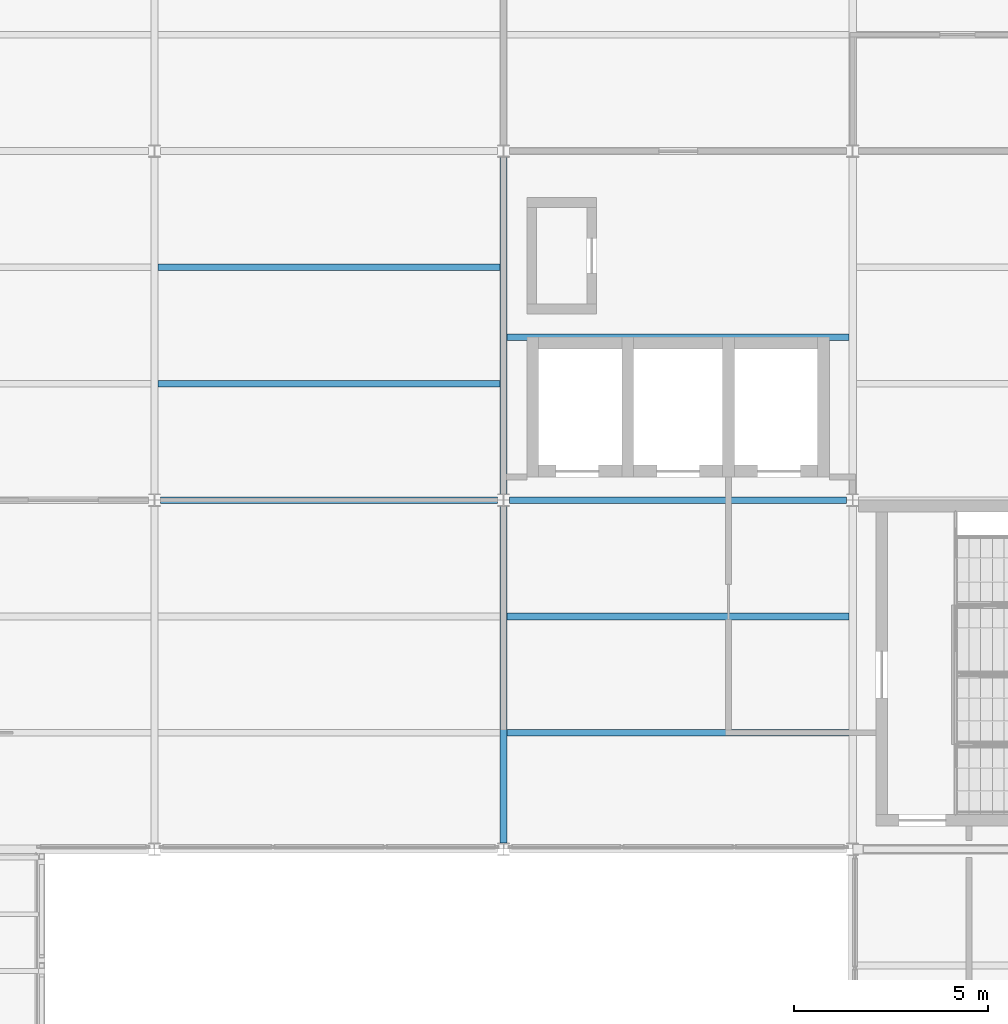
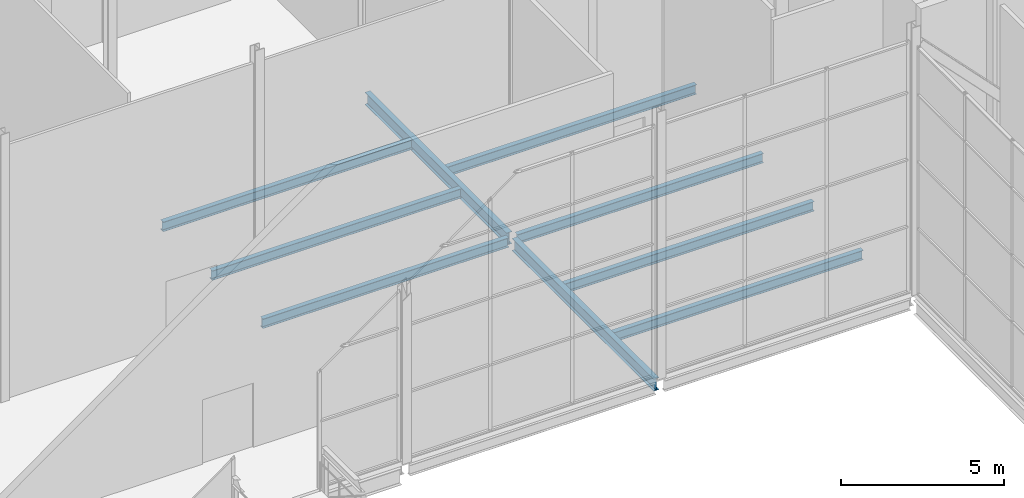
# One storey, part 65 of 111: 9 beams.
"""IFC4 building model written with IfcOpenShell, lengths in metres."""

from ifc_helpers import new_model, si_unit, direction, frame, origin, origin_2d, place, context, subcontext, project, spatial, i_section, extrude, material, material_profile, profile_set, type_object, element, save


model = new_model("IFC4")

# Units and contexts
model_context = context("Model", 3, precision=1e-05, world=origin(), true_north=direction((0.0, 1.0)))
body_context = subcontext(model_context, "Body", "Model", "MODEL_VIEW")
ifc_project = project(units=[si_unit("LENGTHUNIT", "METRE"), si_unit("AREAUNIT", "SQUARE_METRE"), si_unit("VOLUMEUNIT", "CUBIC_METRE"), si_unit("PLANEANGLEUNIT", "RADIAN"), si_unit("MASSUNIT", "GRAM", prefix="KILO")], contexts=[model_context])

# Site, building, storey
site_placement = place(None, origin())
site = spatial("IfcSite", under=ifc_project, at=site_placement, CompositionType="ELEMENT")
building_placement = place(site_placement, origin())
building = spatial("IfcBuilding", under=site, at=building_placement, Name="Shorebreak Coast Museum", CompositionType="ELEMENT")
storey_placement = place(building_placement, frame((0.0, 0.0, 16.0)))
storey = spatial("IfcBuildingStorey", under=building, at=storey_placement, Name="L03", CompositionType="ELEMENT", Elevation=16.0)

# Beams
ifc_material_1 = material(Name="Steel Grade 300", Category="steel")
ifc_material_profile_1 = material_profile(ifc_material_1, i_section(OverallWidth=0.1708984375, OverallDepth=0.355712890625, WebThickness=0.00732421875, FlangeThickness=0.011474609375, FilletRadius=0.011474609375, at=origin_2d()), Name="360UB50.7")
ifc_profile_set_1 = profile_set([ifc_material_profile_1], Name="Steel Grade 300")
beam_type_1 = type_object("IfcBeamType", Name="Floor girder east-west 360UB50.7", PredefinedType="BEAM", material=ifc_profile_set_1)
for number, where, z_axis, x_axis, name in (
    (1, (90.155517578125, 90.0, -0.352783203125), (1.0, 0.0, 0.0), (0.0, 1.0, 0.0), "Floor girder east-west L03 11L"),
    (2, (99.155517578125, 90.0, -0.352783203125), (1.0, 0.0, 0.0), (0.0, 1.0, 0.0), "Floor girder east-west L03 12L"),
):
    element("IfcBeam", number, at=place(storey_placement, frame(where, z_axis=z_axis, x_axis=x_axis)), inside=storey, type_object=beam_type_1, Name=name, PredefinedType="BEAM", context=body_context, shape_type="SweptSolid", body=[
        extrude(i_section(OverallWidth=0.1708984375, OverallDepth=0.355712890625, WebThickness=0.00732421875, FlangeThickness=0.011474609375, FilletRadius=0.011474609375, at=origin_2d()), origin(), (0.0, 0.0, 1.0), 8.68896484375),
    ])
ifc_material_2 = material(Name="Steel Grade 300", Category="steel")
ifc_material_profile_2 = material_profile(ifc_material_2, i_section(OverallWidth=0.18994140625, OverallDepth=0.453857421875, WebThickness=0.008544921875, FlangeThickness=0.0126953125, FilletRadius=0.011474609375, at=origin_2d()), Name="460UB67.1")
ifc_profile_set_2 = profile_set([ifc_material_profile_2], Name="Steel Grade 300")
beam_type_2 = type_object("IfcBeamType", Name="Floor girder north-south 460UB67.1", PredefinedType="BEAM", material=ifc_profile_set_2)
beam_1_placement = place(storey_placement, frame((99.0, 81.16357421875, -0.40185546875), z_axis=(0.0, 1.0, 0.0), x_axis=(-1.0, 0.0, 0.0)))
element("IfcBeam", 3, at=beam_1_placement, inside=storey, type_object=beam_type_2, Name="Floor girder north-south L03 12K", PredefinedType="BEAM", context=body_context, shape_type="SweptSolid", body=[
    extrude(i_section(OverallWidth=0.18994140625, OverallDepth=0.453857421875, WebThickness=0.008544921875, FlangeThickness=0.0126953125, FilletRadius=0.011474609375, at=origin_2d()), origin(), (0.0, 0.0, 1.0), 8.6728515625),
])
beam_2_placement = place(storey_placement, frame((99.0, 90.16357421875, -0.40185546875), z_axis=(0.0, 1.0, 0.0), x_axis=(-1.0, 0.0, 0.0)))
element("IfcBeam", 4, at=beam_2_placement, inside=storey, type_object=beam_type_2, Name="Floor girder north-south L03 12L", PredefinedType="BEAM", context=body_context, shape_type="SweptSolid", body=[
    extrude(i_section(OverallWidth=0.18994140625, OverallDepth=0.453857421875, WebThickness=0.008544921875, FlangeThickness=0.0126953125, FilletRadius=0.011474609375, at=origin_2d()), origin(), (0.0, 0.0, 1.0), 8.67919921875),
])
ifc_material_3 = material(Name="Steel Grade 300", Category="steel")
ifc_material_profile_3 = material_profile(ifc_material_3, i_section(OverallWidth=0.1708984375, OverallDepth=0.355712890625, WebThickness=0.00732421875, FlangeThickness=0.011474609375, FilletRadius=0.011474609375, at=origin_2d()), Name="360UB50.7")
ifc_profile_set_3 = profile_set([ifc_material_profile_3], Name="Steel Grade 300")
beam_type_3 = type_object("IfcBeamType", Name="Floor joist 360UB50.7", PredefinedType="JOIST", material=ifc_profile_set_3)
for number, where, z_axis, x_axis, name in (
    (5, (99.094970703125, 84.0, -0.352783203125), (1.0, 0.0, 0.0), (0.0, 1.0, 0.0), "Floor joist L03 bay 12K at 3000 mm"),
    (6, (99.094970703125, 87.0, -0.352783203125), (1.0, 0.0, 0.0), (0.0, 1.0, 0.0), "Floor joist L03 bay 12K at 6000 mm"),
    (7, (90.094970703125, 93.0, -0.352783203125), (1.0, 0.0, 0.0), (0.0, 1.0, 0.0), "Floor joist L03 bay 11L at 3000 mm"),
    (8, (90.094970703125, 96.0, -0.352783203125), (1.0, 0.0, 0.0), (0.0, 1.0, 0.0), "Floor joist L03 bay 11L at 6000 mm"),
    (9, (99.094970703125, 94.199951171875, -0.352783203125), (1.0, 0.0, 0.0), (0.0, 1.0, 0.0), "Floor joist L03 bay 12L at 4200 mm"),
):
    element("IfcBeam", number, at=place(storey_placement, frame(where, z_axis=z_axis, x_axis=x_axis)), inside=storey, type_object=beam_type_3, Name=name, PredefinedType="JOIST", context=body_context, shape_type="SweptSolid", body=[
        extrude(i_section(OverallWidth=0.1708984375, OverallDepth=0.355712890625, WebThickness=0.00732421875, FlangeThickness=0.011474609375, FilletRadius=0.011474609375, at=origin_2d()), origin(), (0.0, 0.0, 1.0), 8.81005859375),
    ])

save(model, "model.ifc")
